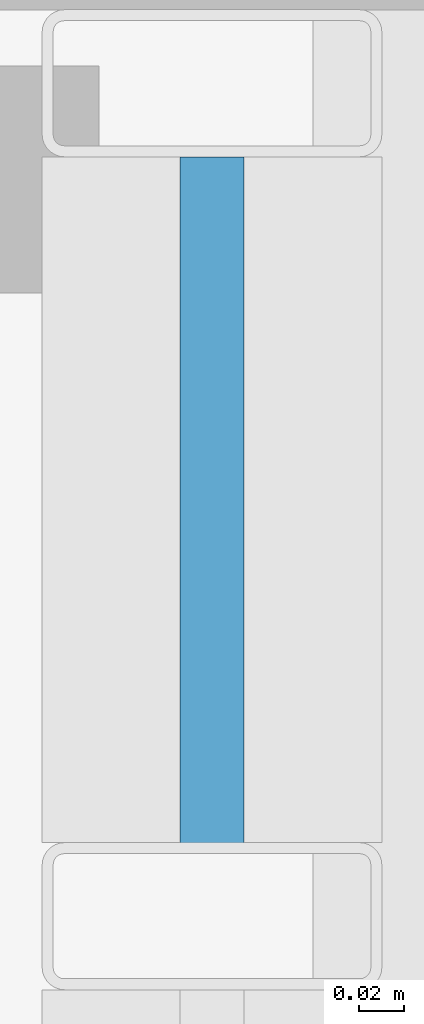
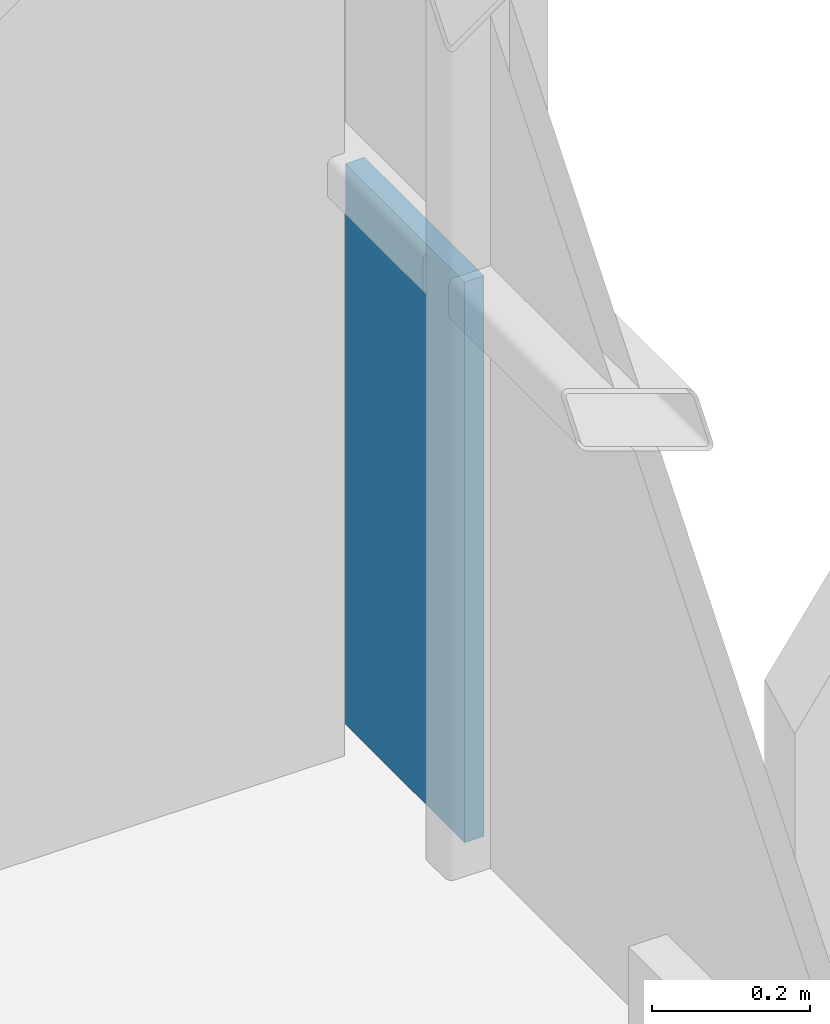
# One storey, part 26 of 38: 1 plate, 1 element without a shape of its own.
"""IFC4 building model written with IfcOpenShell, lengths in metres."""

from ifc_helpers import new_model, si_unit, direction, frame, origin, origin_2d, place, context, subcontext, project, spatial, rectangle, extrude, material, layer, layer_set, type_object, element, aggregate, save


model = new_model("IFC4")

# Units and contexts
model_context = context("Model", 3, precision=1e-05, world=origin(), true_north=direction((0.0, 1.0)))
body_context = subcontext(model_context, "Body", "Model", "MODEL_VIEW")
ifc_project = project(units=[si_unit("LENGTHUNIT", "METRE"), si_unit("AREAUNIT", "SQUARE_METRE"), si_unit("VOLUMEUNIT", "CUBIC_METRE"), si_unit("PLANEANGLEUNIT", "RADIAN"), si_unit("MASSUNIT", "GRAM", prefix="KILO")], contexts=[model_context])

# Site, building, storey
site_placement = place(None, origin())
site = spatial("IfcSite", under=ifc_project, at=site_placement, CompositionType="ELEMENT")
building_placement = place(site_placement, origin())
building = spatial("IfcBuilding", under=site, at=building_placement, Name="Brevholm Reach", CompositionType="ELEMENT")
storey_placement = place(building_placement, frame((0.0, 0.0, 46.60009765625)))
storey = spatial("IfcBuildingStorey", under=building, at=storey_placement, Name="L12", CompositionType="ELEMENT", Elevation=46.60009765625)

# Curtain wall, plate
ifc_material_1 = material(Name="Dark Anodised Aluminium 6063-T6 and Solar-Control Glass", Category="aluminium")
ifc_layer_1 = layer(ifc_material_1, 0.14990234375)
ifc_layer_set_1 = layer_set([ifc_layer_1], Name="Dark Anodised Aluminium 6063-T6 and Solar-Control Glass")
curtain_wall_type = type_object("IfcCurtainWallType", Name="CW-01", PredefinedType="NOTDEFINED", material=ifc_layer_set_1)
curtain_wall_placement = place(storey_placement, origin())
curtain_wall = element("IfcCurtainWall", 1, at=curtain_wall_placement, inside=storey, type_object=curtain_wall_type, Name="L12 Curtain Wall CW-01", PredefinedType="NOTDEFINED")
ifc_material_2 = material(Name="Dark Solar-Control Double-Glazed IGU Glass", Category="glass")
ifc_layer_2 = layer(ifc_material_2, 0.028076171875)
ifc_layer_set_2 = layer_set([ifc_layer_2], Name="Dark Solar-Control Double-Glazed IGU Glass")
plate_type = type_object("IfcPlateType", Name="CWP-GLZ-28", PredefinedType="CURTAIN_PANEL", material=ifc_layer_set_2)
plate_placement = place(storey_placement, frame((59.85009765625, 22.733642578125, 0.0), z_axis=(0.0, 0.0, 1.0), x_axis=(0.0, 1.0, 0.0)))
plate = element("IfcPlate", 2, at=plate_placement, type_object=plate_type, Name="CP-01 Glazing Panel 5.1", PredefinedType="CURTAIN_PANEL", context=body_context, shape_type="SweptSolid", body=[
    extrude(rectangle(XDim=0.302490234375, YDim=0.028076171875, at=origin_2d()), origin(), (0.0, 0.0, 1.0), 0.867431640625),
])
aggregate(curtain_wall, [plate])

save(model, "model.ifc")
